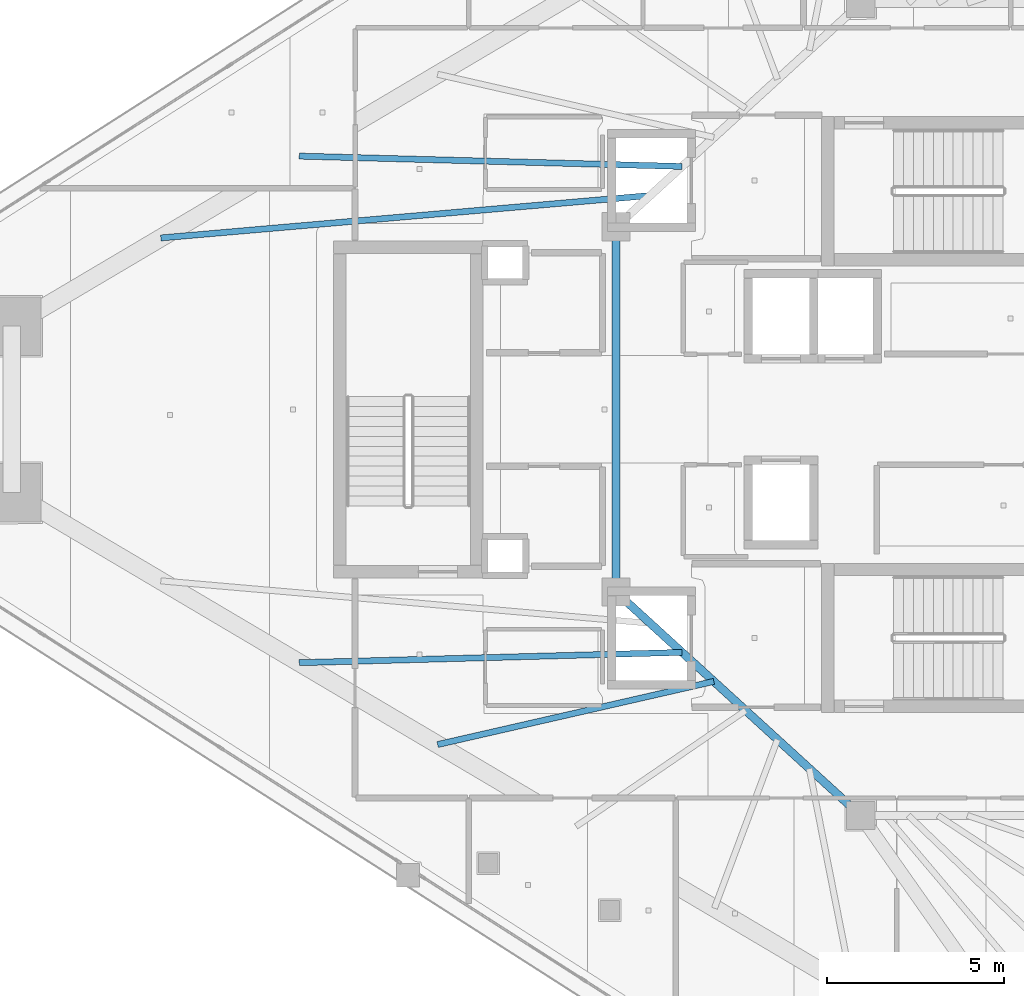
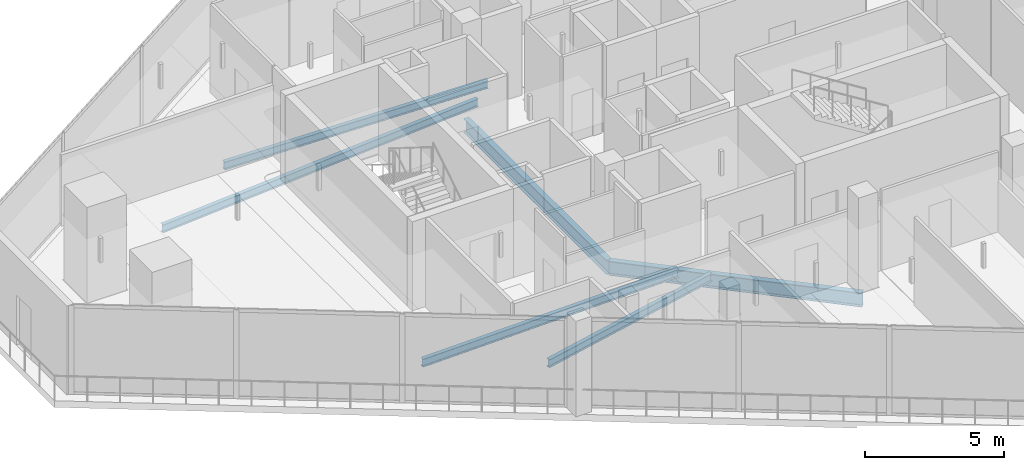
# One storey, part 9 of 33: 6 beams.
"""IFC4 building model written with IfcOpenShell, lengths in metres."""

from ifc_helpers import new_model, si_unit, direction, frame, origin, origin_2d, place, context, subcontext, project, spatial, i_section, extrude, material, material_profile, profile_set, type_object, element, save


model = new_model("IFC4")

# Units and contexts
model_context = context("Model", 3, precision=1e-05, world=origin(), true_north=direction((0.0, 1.0)))
body_context = subcontext(model_context, "Body", "Model", "MODEL_VIEW")
ifc_project = project(units=[si_unit("LENGTHUNIT", "METRE"), si_unit("AREAUNIT", "SQUARE_METRE"), si_unit("VOLUMEUNIT", "CUBIC_METRE"), si_unit("PLANEANGLEUNIT", "RADIAN"), si_unit("MASSUNIT", "GRAM", prefix="KILO")], contexts=[model_context])

# Site, building, storey
site_placement = place(None, origin())
site = spatial("IfcSite", under=ifc_project, at=site_placement, CompositionType="ELEMENT")
building_placement = place(site_placement, origin())
building = spatial("IfcBuilding", under=site, at=building_placement, Name="Qorvath Tower", CompositionType="ELEMENT")
storey_placement = place(building_placement, frame((0.0, 0.0, 280.800048828125)))
storey = spatial("IfcBuildingStorey", under=building, at=storey_placement, Name="L65", CompositionType="ELEMENT", Elevation=280.800048828125)

# Beams
ifc_material_1 = material(Name="Steel ASTM A992 Grade 50", Category="steel")
ifc_material_profile_1 = material_profile(ifc_material_1, i_section(OverallWidth=0.22998046875, OverallDepth=0.616943359375, WebThickness=0.01318359375, FlangeThickness=0.022216796875, FilletRadius=0.014892578125, at=origin_2d()), Name="W24x94")
ifc_profile_set_1 = profile_set([ifc_material_profile_1], Name="Steel ASTM A992 Grade 50")
beam_type_1 = type_object("IfcBeamType", Name="BM-FG6", PredefinedType="BEAM", material=ifc_profile_set_1)
beam_1_placement = place(storey_placement, frame((-23.60009765625, -11.449951171875, -0.5986328125), z_axis=(-0.73847813985, 0.6742774184, 0.0), x_axis=(-0.6742774184, -0.73847813985, 0.0)))
element("IfcBeam", 1, at=beam_1_placement, inside=storey, type_object=beam_type_1, Name="Core Ring Girder CC4-CC6 L65", PredefinedType="BEAM", context=body_context, shape_type="SweptSolid", body=[
    extrude(i_section(OverallWidth=0.22998046875, OverallDepth=0.616943359375, WebThickness=0.01318359375, FlangeThickness=0.022216796875, FilletRadius=0.014892578125, at=origin_2d()), origin(), (0.0, 0.0, 1.0), 9.343505859375),
])
beam_2_placement = place(storey_placement, frame((-30.5, -5.14990234375, -0.5986328125), z_axis=(0.0, 1.0, 0.0), x_axis=(-1.0, 0.0, 0.0)))
element("IfcBeam", 2, at=beam_2_placement, inside=storey, type_object=beam_type_1, Name="Core Ring Girder CC6-CC5 L65", PredefinedType="BEAM", context=body_context, shape_type="SweptSolid", body=[
    extrude(i_section(OverallWidth=0.22998046875, OverallDepth=0.616943359375, WebThickness=0.01318359375, FlangeThickness=0.022216796875, FilletRadius=0.014892578125, at=origin_2d()), origin(), (0.0, 0.0, 1.0), 10.2998046875),
])
ifc_material_2 = material(Name="Steel ASTM A992 Grade 50", Category="steel")
ifc_material_profile_2 = material_profile(ifc_material_2, i_section(OverallWidth=0.1708984375, OverallDepth=0.35107421875, WebThickness=0.0068359375, FlangeThickness=0.009765625, FilletRadius=0.010009765625, at=origin_2d()), Name="W14x30")
ifc_profile_set_2 = profile_set([ifc_material_profile_2], Name="Steel ASTM A992 Grade 50")
beam_type_2 = type_object("IfcBeamType", Name="BM-FJ4", PredefinedType="JOIST", material=ifc_profile_set_2)
beam_3_placement = place(storey_placement, frame((-29.533935546875, 6.031982421875, -0.465576171875), z_axis=(-0.996257895131, -0.086430355719, 0.0), x_axis=(0.086430355719, -0.996257895131, 0.0)))
element("IfcBeam", 3, at=beam_3_placement, inside=storey, type_object=beam_type_2, Name="Composite Floor Joist NW1 L65", PredefinedType="JOIST", context=body_context, shape_type="SweptSolid", body=[
    extrude(i_section(OverallWidth=0.1708984375, OverallDepth=0.35107421875, WebThickness=0.0068359375, FlangeThickness=0.009765625, FilletRadius=0.010009765625, at=origin_2d()), origin(), (0.0, 0.0, 1.0), 13.852294921875),
])
for number, where, z_axis, x_axis, name in (
    (4, (-28.636962890625, 6.85107421875, -0.465576171875), (-0.999635580213, 0.026994569327, 0.0), (-0.026994569327, -0.999635580213, 0.0), "Composite Floor Joist NW2 L65"),
    (5, (-28.636962890625, -6.85107421875, -0.465576171875), (-0.999635580213, -0.026994569327, 0.0), (0.026994569327, -0.999635580213, 0.0), "Composite Floor Joist SW2 L65"),
):
    element("IfcBeam", number, at=place(storey_placement, frame(where, z_axis=z_axis, x_axis=x_axis)), inside=storey, type_object=beam_type_2, Name=name, PredefinedType="JOIST", context=body_context, shape_type="SweptSolid", body=[
        extrude(i_section(OverallWidth=0.1708984375, OverallDepth=0.35107421875, WebThickness=0.0068359375, FlangeThickness=0.009765625, FilletRadius=0.010009765625, at=origin_2d()), origin(), (0.0, 0.0, 1.0), 10.798583984375),
    ])
beam_4_placement = place(storey_placement, frame((-27.739990234375, -7.669921875, -0.465576171875), z_axis=(-0.974852627195, -0.222850522212, 0.0), x_axis=(0.222850522212, -0.974852627195, 0.0)))
element("IfcBeam", 6, at=beam_4_placement, inside=storey, type_object=beam_type_2, Name="Composite Floor Joist SW3 L65", PredefinedType="JOIST", context=body_context, shape_type="SweptSolid", body=[
    extrude(i_section(OverallWidth=0.1708984375, OverallDepth=0.35107421875, WebThickness=0.0068359375, FlangeThickness=0.009765625, FilletRadius=0.010009765625, at=origin_2d()), origin(), (0.0, 0.0, 1.0), 7.98974609375),
])

save(model, "model.ifc")
